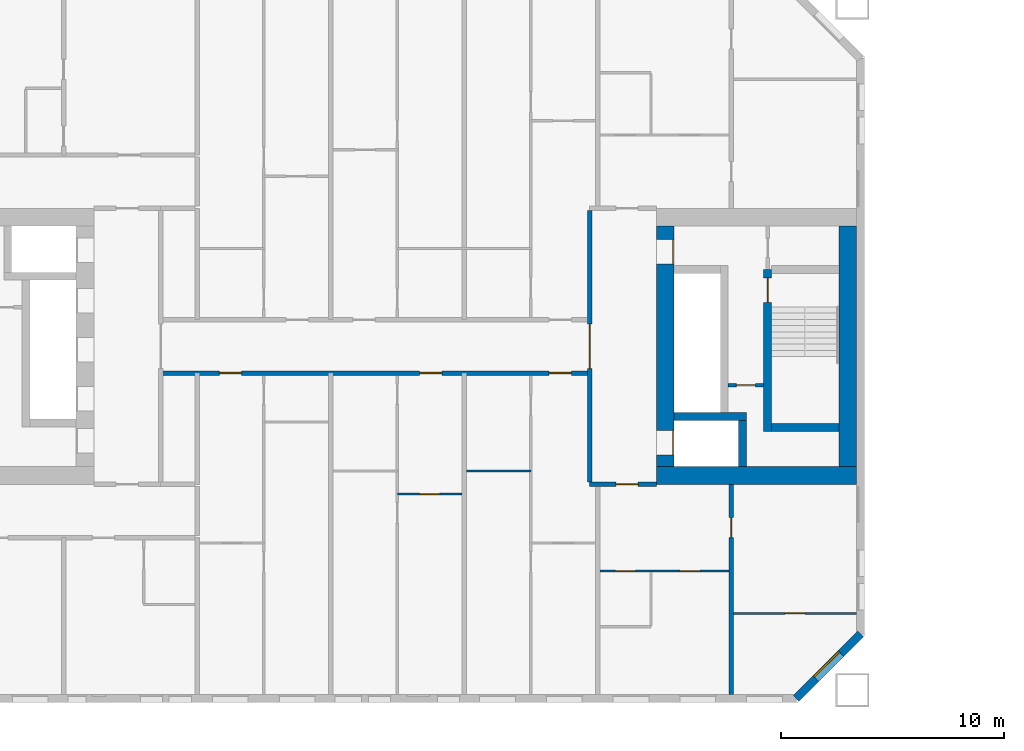
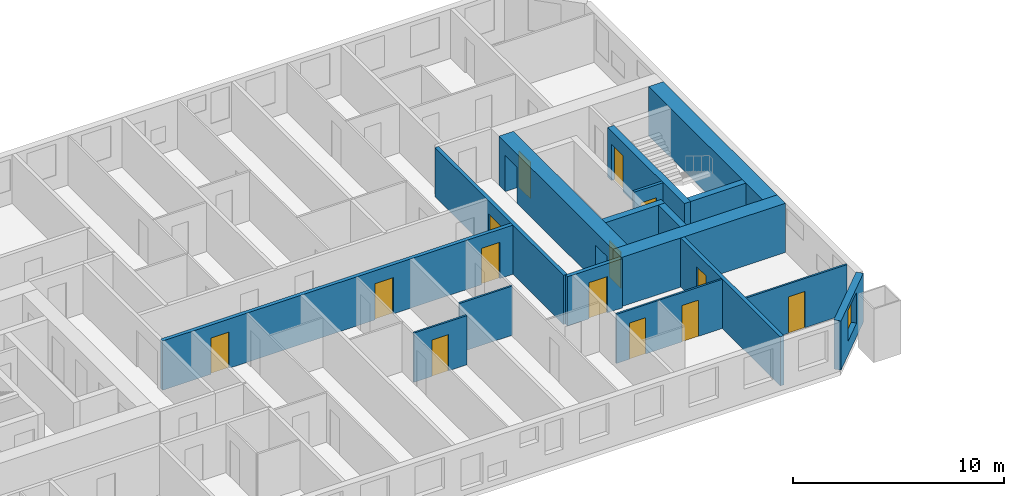
# One storey, part 8 of 19: 17 walls, 14 doors, 1 window, 15 openings.
"""IFC4 building model written with IfcOpenShell, lengths in metres."""

from ifc_helpers import new_model, si_unit, direction, frame, frame_2d, origin, place, context, subcontext, project, spatial, rectangle, extrude, material, layer, layer_set, type_object, element, fill, save


model = new_model("IFC4")

# Units and contexts
model_context = context("Model", 3, precision=1e-05, world=origin(), true_north=direction((0.0, 1.0)))
body_context = subcontext(model_context, "Body", "Model", "MODEL_VIEW")
ifc_project = project(units=[si_unit("LENGTHUNIT", "METRE"), si_unit("AREAUNIT", "SQUARE_METRE"), si_unit("VOLUMEUNIT", "CUBIC_METRE"), si_unit("PLANEANGLEUNIT", "RADIAN"), si_unit("MASSUNIT", "GRAM", prefix="KILO")], contexts=[model_context])

# Site, building, storey
site_placement = place(None, origin())
site = spatial("IfcSite", under=ifc_project, at=site_placement, CompositionType="ELEMENT")
building_placement = place(site_placement, origin())
building = spatial("IfcBuilding", under=site, at=building_placement, Name="Tuart Gate Housing", CompositionType="ELEMENT")
storey_placement = place(building_placement, frame((0.0, 0.0, 56.699951171875)))
storey = spatial("IfcBuildingStorey", under=building, at=storey_placement, Name="L15", CompositionType="ELEMENT", Elevation=56.699951171875)

# Wall, opening, window
ifc_material_1 = material(Name="Brick", Category="masonry")
ifc_layer_1 = layer(ifc_material_1, 0.360107421875)
ifc_layer_set_1 = layer_set([ifc_layer_1], Name="Brick pier and spandrel wall 360")
wall_type_1 = type_object("IfcWallType", Name="Brick pier and spandrel wall 360", PredefinedType="STANDARD", material=ifc_layer_set_1)
wall_1_placement = place(storey_placement, frame((72.92529296875, 54.179931640625, 0.0), z_axis=(0.0, 0.0, 1.0), x_axis=(0.707106781187, 0.707106781187, 0.0)))
wall_1 = element("IfcWall", 1, at=wall_1_placement, inside=storey, type_object=wall_type_1, Name="External wall A-SE L15", PredefinedType="STANDARD", context=body_context, shape_type="SweptSolid", body=[
    extrude(rectangle(XDim=4.09375, YDim=0.360107421875, at=frame_2d((2.046875, 0.0))), origin(), (0.0, 0.0, 1.0), 2.85009765625),
])
opening_1_placement = place(wall_1_placement, frame((1.2470703125, 0.0, 0.800048828125)))
opening_1 = element("IfcOpeningElement", 2, at=opening_1_placement, cuts=wall_1, Name="Opening W1", PredefinedType="OPENING", context=body_context, shape_type="SweptSolid", body=[
    extrude(rectangle(XDim=1.60009765625, YDim=1.800048828125, at=frame_2d((0.800048828125, 0.89990234375))), frame((0.0, 0.18994140625, 0.0), z_axis=(0.0, -1.0, 0.0), x_axis=(1.0, 0.0, 0.0)), (0.0, 0.0, 1.0), 0.380126953125),
])
ifc_material_2 = material(Name="Aluminium frame with clear glass", Category="aluminium")
window_type = type_object("IfcWindowType", Name="Punched window 1600 x 1800", PartitioningType="SINGLE_PANEL", PredefinedType="WINDOW", material=ifc_material_2)
window_placement = place(opening_1_placement, origin())
window = element("IfcWindow", 3, at=window_placement, inside=storey, type_object=window_type, Name="Window W1", OverallHeight=1.800048828125, OverallWidth=1.60009765625, PartitioningType="SINGLE_PANEL", PredefinedType="WINDOW", context=body_context, shape_type="SweptSolid", body=[
    extrude(rectangle(XDim=1.60009765625, YDim=1.800048828125, at=frame_2d((0.800048828125, 0.89990234375))), frame((0.0, 0.150146484375, 0.0), z_axis=(0.0, -1.0, 0.0), x_axis=(1.0, 0.0, 0.0)), (0.0, 0.0, 1.0), 0.06005859375),
])
fill(opening_1, window)

# Wall, opening, door
ifc_material_3 = material(Name="Plasterboard partition")
ifc_layer_2 = layer(ifc_material_3, 0.14990234375)
ifc_layer_set_2 = layer_set([ifc_layer_2], Name="Core partition 150")
wall_type_2 = type_object("IfcWallType", Name="Core partition 150", PredefinedType="PARTITIONING", material=ifc_layer_set_2)
wall_2_placement = place(storey_placement, frame((69.864990234375, 68.25, 0.0), z_axis=(0.0, 0.0, 1.0), x_axis=(1.0, 0.0, 0.0)))
wall_2 = element("IfcWall", 4, at=wall_2_placement, inside=storey, type_object=wall_type_2, Name="Core partition AG.3", PredefinedType="PARTITIONING", context=body_context, shape_type="SweptSolid", body=[
    extrude(rectangle(XDim=1.60009765625, YDim=0.14990234375, at=frame_2d((0.800048828125, 0.0))), origin(), (0.0, 0.0, 1.0), 2.85009765625),
])
opening_2_placement = place(wall_2_placement, frame((0.375, 0.0, 0.0)))
opening_2 = element("IfcOpeningElement", 5, at=opening_2_placement, cuts=wall_2, Name="Opening D752", PredefinedType="OPENING", context=body_context, shape_type="SweptSolid", body=[
    extrude(rectangle(XDim=0.85009765625, YDim=2.10009765625, at=frame_2d((0.425048828125, 1.050048828125))), frame((0.0, 0.0849609375, 0.0), z_axis=(0.0, -1.0, 0.0), x_axis=(1.0, 0.0, 0.0)), (0.0, 0.0, 1.0), 0.169921875),
])
ifc_material_4 = material(Name="Steel fire door", Category="steel")
door_type_1 = type_object("IfcDoorType", Name="Riser door 850 x 2100 RH", OperationType="SINGLE_SWING_RIGHT", PredefinedType="DOOR", material=ifc_material_4)
door_1_placement = place(opening_2_placement, frame((0.85009765625, 0.0, 0.0), z_axis=(0.0, 0.0, 1.0), x_axis=(-1.0, 0.0, 0.0)))
door_1 = element("IfcDoor", 6, at=door_1_placement, inside=storey, type_object=door_type_1, Name="Service room door AG.E1", OperationType="SINGLE_SWING_RIGHT", OverallHeight=2.10009765625, OverallWidth=0.85009765625, PredefinedType="DOOR", context=body_context, shape_type="SweptSolid", body=[
    extrude(rectangle(XDim=0.85009765625, YDim=2.10009765625, at=frame_2d((0.425048828125, 1.050048828125))), frame((0.0, 0.025146484375, 0.0), z_axis=(0.0, -1.0, 0.0), x_axis=(1.0, 0.0, 0.0)), (0.0, 0.0, 1.0), 0.050048828125),
])
fill(opening_2, door_1)

# Walls
ifc_material_5 = material(Name="Concrete C60", Category="concrete")
ifc_layer_3 = layer(ifc_material_5, 0.35009765625)
ifc_layer_set_3 = layer_set([ifc_layer_3], Name="Core wall 350 C60")
wall_type_3 = type_object("IfcWallType", Name="Core wall 350 C60", PredefinedType="SHEAR", material=ifc_layer_set_3)
wall_3_placement = place(storey_placement, frame((71.81494140625, 66.35009765625, 0.0), z_axis=(0.0, 0.0, 1.0), x_axis=(1.0, 0.0, 0.0)))
element("IfcWall", 7, at=wall_3_placement, inside=storey, type_object=wall_type_3, Name="Core wall AG.1", PredefinedType="SHEAR", context=body_context, shape_type="SweptSolid", body=[
    extrude(rectangle(XDim=3.025146484375, YDim=0.35009765625, at=frame_2d((1.5126953125, 0.0))), origin(), (0.0, 0.0, 1.0), 2.85009765625),
])
wall_4_placement = place(storey_placement, frame((67.43994140625, 66.85009765625, 0.0), z_axis=(0.0, 0.0, 1.0), x_axis=(1.0, 0.0, 0.0)))
element("IfcWall", 8, at=wall_4_placement, inside=storey, type_object=wall_type_3, Name="Core wall AG.2", PredefinedType="SHEAR", context=body_context, shape_type="SweptSolid", body=[
    extrude(rectangle(XDim=3.2451171875, YDim=0.35009765625, at=frame_2d((1.62255859375, 0.0))), origin(), (0.0, 0.0, 1.0), 2.85009765625),
])
wall_5_placement = place(storey_placement, frame((70.510009765625, 64.60009765625, 0.0), z_axis=(0.0, 0.0, 1.0), x_axis=(0.0, 1.0, 0.0)))
element("IfcWall", 9, at=wall_5_placement, inside=storey, type_object=wall_type_3, Name="Core wall AG.7", PredefinedType="SHEAR", context=body_context, shape_type="SweptSolid", body=[
    extrude(rectangle(XDim=2.074951171875, YDim=0.35009765625, at=frame_2d((1.03759765625, 0.0))), origin(), (0.0, 0.0, 1.0), 2.85009765625),
])

# Wall, opening, door
wall_6_placement = place(storey_placement, frame((71.639892578125, 66.175048828125, 0.0), z_axis=(0.0, 0.0, 1.0), x_axis=(0.0, 1.0, 0.0)))
wall_6 = element("IfcWall", 10, at=wall_6_placement, inside=storey, type_object=wall_type_3, Name="Core wall AG.8", PredefinedType="SHEAR", context=body_context, shape_type="SweptSolid", body=[
    extrude(rectangle(XDim=7.27490234375, YDim=0.35009765625, at=frame_2d((3.637451171875, 0.0))), origin(), (0.0, 0.0, 1.0), 2.85009765625),
])
opening_3_placement = place(wall_6_placement, frame((5.800048828125, 0.0, 0.0)))
opening_3 = element("IfcOpeningElement", 11, at=opening_3_placement, cuts=wall_6, Name="Opening D748", PredefinedType="OPENING", context=body_context, shape_type="SweptSolid", body=[
    extrude(rectangle(XDim=1.10009765625, YDim=2.10009765625, at=frame_2d((0.550048828125, 1.050048828125))), frame((0.0, 0.18505859375, 0.0), z_axis=(0.0, -1.0, 0.0), x_axis=(1.0, 0.0, 0.0)), (0.0, 0.0, 1.0), 0.3701171875),
])
ifc_material_6 = material(Name="Steel fire door", Category="steel")
door_type_2 = type_object("IfcDoorType", Name="Stair door 1100 x 2100", OperationType="SINGLE_SWING_LEFT", PredefinedType="DOOR", material=ifc_material_6)
door_2_placement = place(opening_3_placement, frame((1.10009765625, 0.0, 0.0), z_axis=(0.0, 0.0, 1.0), x_axis=(-1.0, 0.0, 0.0)))
door_2 = element("IfcDoor", 12, at=door_2_placement, inside=storey, type_object=door_type_2, Name="Stair door AG.SD", OperationType="SINGLE_SWING_LEFT", OverallHeight=2.10009765625, OverallWidth=1.10009765625, PredefinedType="DOOR", context=body_context, shape_type="SweptSolid", body=[
    extrude(rectangle(XDim=1.10009765625, YDim=2.10009765625, at=frame_2d((0.550048828125, 1.050048828125))), frame((0.0, 0.025146484375, 0.0), z_axis=(0.0, -1.0, 0.0), x_axis=(1.0, 0.0, 0.0)), (0.0, 0.0, 1.0), 0.050048828125),
])
fill(opening_3, door_2)

# Wall, openings, doors
ifc_material_7 = material(Name="Concrete C60", Category="concrete")
ifc_layer_4 = layer(ifc_material_7, 0.800048828125)
ifc_layer_set_4 = layer_set([ifc_layer_4], Name="Core wall 800 C60")
wall_type_4 = type_object("IfcWallType", Name="Core wall 800 C60", PredefinedType="SHEAR", material=ifc_layer_set_4)
wall_7_placement = place(storey_placement, frame((67.0400390625, 64.60009765625, 0.0), z_axis=(0.0, 0.0, 1.0), x_axis=(0.0, 1.0, 0.0)))
wall_7 = element("IfcWall", 13, at=wall_7_placement, inside=storey, type_object=wall_type_4, Name="Core wall AG front", PredefinedType="SHEAR", context=body_context, shape_type="SweptSolid", body=[
    extrude(rectangle(XDim=10.7998046875, YDim=0.800048828125, at=frame_2d((5.39990234375, 0.0))), origin(), (0.0, 0.0, 1.0), 2.85009765625),
])
opening_4_placement = place(wall_7_placement, frame((0.52490234375, 0.0, 0.0)))
opening_4 = element("IfcOpeningElement", 14, at=opening_4_placement, cuts=wall_7, Name="Opening LD-FA1", PredefinedType="OPENING", context=body_context, shape_type="SweptSolid", body=[
    extrude(rectangle(XDim=1.10009765625, YDim=2.10009765625, at=frame_2d((0.550048828125, 1.050048828125))), frame((0.0, 0.409912109375, 0.0), z_axis=(0.0, -1.0, 0.0), x_axis=(1.0, 0.0, 0.0)), (0.0, 0.0, 1.0), 0.820068359375),
])
opening_5_placement = place(wall_7_placement, frame((9.10009765625, 0.0, 0.0)))
opening_5 = element("IfcOpeningElement", 15, at=opening_5_placement, cuts=wall_7, Name="Opening D747", PredefinedType="OPENING", context=body_context, shape_type="SweptSolid", body=[
    extrude(rectangle(XDim=1.10009765625, YDim=2.10009765625, at=frame_2d((0.550048828125, 1.050048828125))), frame((0.0, 0.409912109375, 0.0), z_axis=(0.0, -1.0, 0.0), x_axis=(1.0, 0.0, 0.0)), (0.0, 0.0, 1.0), 0.820068359375),
])
ifc_material_8 = material(Name="Stainless steel", Category="steel")
door_type_3 = type_object("IfcDoorType", Name="Landing door 1100 x 2100", OperationType="DOUBLE_DOOR_SLIDING", PredefinedType="DOOR", material=ifc_material_8)
door_3_placement = place(opening_4_placement, origin())
door_3 = element("IfcDoor", 16, at=door_3_placement, inside=storey, type_object=door_type_3, Name="Lift landing door FA1", OperationType="DOUBLE_DOOR_SLIDING", OverallHeight=2.10009765625, OverallWidth=1.10009765625, PredefinedType="DOOR", context=body_context, shape_type="SweptSolid", body=[
    extrude(rectangle(XDim=1.10009765625, YDim=2.10009765625, at=frame_2d((0.550048828125, 1.050048828125))), frame((0.0, -0.3349609375, 0.0), z_axis=(0.0, -1.0, 0.0), x_axis=(1.0, 0.0, 0.0)), (0.0, 0.0, 1.0), 0.050048828125),
])
fill(opening_4, door_3)
ifc_material_9 = material(Name="Steel fire door", Category="steel")
door_type_4 = type_object("IfcDoorType", Name="Lobby door 1100 x 2100 RH", OperationType="SINGLE_SWING_RIGHT", PredefinedType="DOOR", material=ifc_material_9)
door_4_placement = place(opening_5_placement, frame((1.10009765625, 0.0, 0.0), z_axis=(0.0, 0.0, 1.0), x_axis=(-1.0, 0.0, 0.0)))
door_4 = element("IfcDoor", 17, at=door_4_placement, inside=storey, type_object=door_type_4, Name="Lobby entry door AG.EN", OperationType="SINGLE_SWING_RIGHT", OverallHeight=2.10009765625, OverallWidth=1.10009765625, PredefinedType="DOOR", context=body_context, shape_type="SweptSolid", body=[
    extrude(rectangle(XDim=1.10009765625, YDim=2.10009765625, at=frame_2d((0.550048828125, 1.050048828125))), frame((0.0, 0.385009765625, 0.0), z_axis=(0.0, -1.0, 0.0), x_axis=(1.0, 0.0, 0.0)), (0.0, 0.0, 1.0), 0.050048828125),
])
fill(opening_5, door_4)

# Walls
wall_8_placement = place(storey_placement, frame((75.239990234375, 64.60009765625, 0.0), z_axis=(0.0, 0.0, 1.0), x_axis=(0.0, 1.0, 0.0)))
element("IfcWall", 18, at=wall_8_placement, inside=storey, type_object=wall_type_4, Name="Core wall AG back", PredefinedType="SHEAR", context=body_context, shape_type="SweptSolid", body=[
    extrude(rectangle(XDim=10.7998046875, YDim=0.800048828125, at=frame_2d((5.39990234375, 0.0))), origin(), (0.0, 0.0, 1.0), 2.85009765625),
])
wall_9_placement = place(storey_placement, frame((66.639892578125, 64.199951171875, 0.0), z_axis=(0.0, 0.0, 1.0), x_axis=(1.0, 0.0, 0.0)))
element("IfcWall", 19, at=wall_9_placement, inside=storey, type_object=wall_type_4, Name="Core wall AG south", PredefinedType="SHEAR", context=body_context, shape_type="SweptSolid", body=[
    extrude(rectangle(XDim=9.0, YDim=0.800048828125, at=frame_2d((4.5, 0.0))), origin(), (0.0, 0.0, 1.0), 2.85009765625),
])

# Wall, openings, doors
ifc_material_10 = material(Name="Concrete masonry 15 MPa", Category="masonry")
ifc_layer_5 = layer(ifc_material_10, 0.199951171875)
ifc_layer_set_5 = layer_set([ifc_layer_5], Name="Corridor wall masonry 200")
wall_type_5 = type_object("IfcWallType", Name="Corridor wall masonry 200", PredefinedType="PARTITIONING", material=ifc_layer_set_5)
wall_10_placement = place(storey_placement, frame((44.360107421875, 68.800048828125, 0.0), z_axis=(0.0, 0.0, 1.0), x_axis=(1.0, 0.0, 0.0)))
wall_10 = element("IfcWall", 20, at=wall_10_placement, inside=storey, type_object=wall_type_5, Name="Corridor wall masonry 200", PredefinedType="PARTITIONING", context=body_context, shape_type="SweptSolid", body=[
    extrude(rectangle(XDim=19.27978515625, YDim=0.199951171875, at=frame_2d((9.639892578125, 0.0))), origin(), (0.0, 0.0, 1.0), 2.85009765625),
])
opening_6_placement = place(wall_10_placement, frame((17.4599609375, 0.0, 0.0)))
opening_6 = element("IfcOpeningElement", 21, at=opening_6_placement, cuts=wall_10, Name="Opening D749", PredefinedType="OPENING", context=body_context, shape_type="SweptSolid", body=[
    extrude(rectangle(XDim=1.0, YDim=2.10009765625, at=frame_2d((0.5, 1.050048828125))), frame((0.0, 0.10986328125, 0.0), z_axis=(0.0, -1.0, 0.0), x_axis=(1.0, 0.0, 0.0)), (0.0, 0.0, 1.0), 0.219970703125),
])
opening_7_placement = place(wall_10_placement, frame((11.639892578125, 0.0, 0.0)))
opening_7 = element("IfcOpeningElement", 22, at=opening_7_placement, cuts=wall_10, Name="Opening D750", PredefinedType="OPENING", context=body_context, shape_type="SweptSolid", body=[
    extrude(rectangle(XDim=1.0, YDim=2.10009765625, at=frame_2d((0.5, 1.050048828125))), frame((0.0, 0.10986328125, 0.0), z_axis=(0.0, -1.0, 0.0), x_axis=(1.0, 0.0, 0.0)), (0.0, 0.0, 1.0), 0.219970703125),
])
opening_8_placement = place(wall_10_placement, frame((2.639892578125, 0.0, 0.0)))
opening_8 = element("IfcOpeningElement", 23, at=opening_8_placement, cuts=wall_10, Name="Opening D751", PredefinedType="OPENING", context=body_context, shape_type="SweptSolid", body=[
    extrude(rectangle(XDim=1.0, YDim=2.10009765625, at=frame_2d((0.5, 1.050048828125))), frame((0.0, 0.10986328125, 0.0), z_axis=(0.0, -1.0, 0.0), x_axis=(1.0, 0.0, 0.0)), (0.0, 0.0, 1.0), 0.219970703125),
])
ifc_material_11 = material(Name="Timber door leaf in steel frame", Category="steel")
door_type_5 = type_object("IfcDoorType", Name="Flat entrance door 1000 RH", OperationType="SINGLE_SWING_RIGHT", PredefinedType="DOOR", material=ifc_material_11)
door_5_placement = place(opening_6_placement, frame((1.0, 0.0, 0.0), z_axis=(0.0, 0.0, 1.0), x_axis=(-1.0, 0.0, 0.0)))
door_5 = element("IfcDoor", 24, at=door_5_placement, inside=storey, type_object=door_type_5, Name="Flat entrance door", OperationType="SINGLE_SWING_RIGHT", OverallHeight=2.10009765625, OverallWidth=1.0, PredefinedType="DOOR", context=body_context, shape_type="SweptSolid", body=[
    extrude(rectangle(XDim=1.0, YDim=2.10009765625, at=frame_2d((0.5, 1.050048828125))), frame((0.0, 0.025146484375, 0.0), z_axis=(0.0, -1.0, 0.0), x_axis=(1.0, 0.0, 0.0)), (0.0, 0.0, 1.0), 0.050048828125),
])
fill(opening_6, door_5)
door_6_placement = place(opening_7_placement, frame((1.0, 0.0, 0.0), z_axis=(0.0, 0.0, 1.0), x_axis=(-1.0, 0.0, 0.0)))
door_6 = element("IfcDoor", 25, at=door_6_placement, inside=storey, type_object=door_type_5, Name="Flat entrance door", OperationType="SINGLE_SWING_RIGHT", OverallHeight=2.10009765625, OverallWidth=1.0, PredefinedType="DOOR", context=body_context, shape_type="SweptSolid", body=[
    extrude(rectangle(XDim=1.0, YDim=2.10009765625, at=frame_2d((0.5, 1.050048828125))), frame((0.0, 0.025146484375, 0.0), z_axis=(0.0, -1.0, 0.0), x_axis=(1.0, 0.0, 0.0)), (0.0, 0.0, 1.0), 0.050048828125),
])
fill(opening_7, door_6)
door_7_placement = place(opening_8_placement, frame((1.0, 0.0, 0.0), z_axis=(0.0, 0.0, 1.0), x_axis=(-1.0, 0.0, 0.0)))
door_7 = element("IfcDoor", 26, at=door_7_placement, inside=storey, type_object=door_type_5, Name="Flat entrance door", OperationType="SINGLE_SWING_RIGHT", OverallHeight=2.10009765625, OverallWidth=1.0, PredefinedType="DOOR", context=body_context, shape_type="SweptSolid", body=[
    extrude(rectangle(XDim=1.0, YDim=2.10009765625, at=frame_2d((0.5, 1.050048828125))), frame((0.0, 0.025146484375, 0.0), z_axis=(0.0, -1.0, 0.0), x_axis=(1.0, 0.0, 0.0)), (0.0, 0.0, 1.0), 0.050048828125),
])
fill(opening_8, door_7)

# Wall, opening, door
ifc_material_12 = material(Name="Concrete masonry 15 MPa", Category="masonry")
ifc_layer_6 = layer(ifc_material_12, 0.199951171875)
ifc_layer_set_6 = layer_set([ifc_layer_6], Name="Enclosure wall masonry 200")
wall_type_6 = type_object("IfcWallType", Name="Enclosure wall masonry 200", PredefinedType="PARTITIONING", material=ifc_layer_set_6)
wall_11_placement = place(storey_placement, frame((63.639892578125, 63.800048828125, 0.0), z_axis=(0.0, 0.0, 1.0), x_axis=(1.0, 0.0, 0.0)))
wall_11 = element("IfcWall", 27, at=wall_11_placement, inside=storey, type_object=wall_type_6, Name="Enclosure wall masonry 200", PredefinedType="PARTITIONING", context=body_context, shape_type="SweptSolid", body=[
    extrude(rectangle(XDim=3.0, YDim=0.199951171875, at=frame_2d((1.5, 0.0))), origin(), (0.0, 0.0, 1.0), 2.85009765625),
])
opening_9_placement = place(wall_11_placement, frame((1.179931640625, 0.0, 0.0)))
opening_9 = element("IfcOpeningElement", 28, at=opening_9_placement, cuts=wall_11, Name="Opening D756", PredefinedType="OPENING", context=body_context, shape_type="SweptSolid", body=[
    extrude(rectangle(XDim=1.0, YDim=2.10009765625, at=frame_2d((0.5, 1.050048828125))), frame((0.0, 0.10986328125, 0.0), z_axis=(0.0, -1.0, 0.0), x_axis=(1.0, 0.0, 0.0)), (0.0, 0.0, 1.0), 0.219970703125),
])
door_8_placement = place(opening_9_placement, frame((1.0, 0.0, 0.0), z_axis=(0.0, 0.0, 1.0), x_axis=(-1.0, 0.0, 0.0)))
door_8 = element("IfcDoor", 29, at=door_8_placement, inside=storey, type_object=door_type_5, Name="Flat entrance door", OperationType="SINGLE_SWING_RIGHT", OverallHeight=2.10009765625, OverallWidth=1.0, PredefinedType="DOOR", context=body_context, shape_type="SweptSolid", body=[
    extrude(rectangle(XDim=1.0, YDim=2.10009765625, at=frame_2d((0.5, 1.050048828125))), frame((0.0, 0.025146484375, 0.0), z_axis=(0.0, -1.0, 0.0), x_axis=(1.0, 0.0, 0.0)), (0.0, 0.0, 1.0), 0.050048828125),
])
fill(opening_9, door_8)

ifc_material_13 = material(Name="Plasterboard partition")
ifc_layer_7 = layer(ifc_material_13, 0.199951171875)
ifc_layer_set_7 = layer_set([ifc_layer_7], Name="Lobby wall 200")
wall_type_7 = type_object("IfcWallType", Name="Lobby wall 200", PredefinedType="PARTITIONING", material=ifc_layer_set_7)
wall_12_placement = place(storey_placement, frame((63.639892578125, 63.89990234375, 0.0), z_axis=(0.0, 0.0, 1.0), x_axis=(0.0, 1.0, 0.0)))
wall_12 = element("IfcWall", 30, at=wall_12_placement, inside=storey, type_object=wall_type_7, Name="Lift lobby wall AG", PredefinedType="PARTITIONING", context=body_context, shape_type="SweptSolid", body=[
    extrude(rectangle(XDim=12.2001953125, YDim=0.199951171875, at=frame_2d((6.10009765625, 0.0))), origin(), (0.0, 0.0, 1.0), 2.85009765625),
])
opening_10_placement = place(wall_12_placement, frame((5.10009765625, 0.0, 0.0)))
opening_10 = element("IfcOpeningElement", 31, at=opening_10_placement, cuts=wall_12, Name="Opening D746", PredefinedType="OPENING", context=body_context, shape_type="SweptSolid", body=[
    extrude(rectangle(XDim=2.0, YDim=2.10009765625, at=frame_2d((1.0, 1.050048828125))), frame((0.0, 0.10986328125, 0.0), z_axis=(0.0, -1.0, 0.0), x_axis=(1.0, 0.0, 0.0)), (0.0, 0.0, 1.0), 0.219970703125),
])
ifc_material_14 = material(Name="Steel fire door", Category="steel")
door_type_6 = type_object("IfcDoorType", Name="Smoke door 2000 x 2100", OperationType="DOUBLE_DOOR_SINGLE_SWING", PredefinedType="DOOR", material=ifc_material_14)
door_9_placement = place(opening_10_placement, frame((2.0, 0.0, 0.0), z_axis=(0.0, 0.0, 1.0), x_axis=(-1.0, 0.0, 0.0)))
door_9 = element("IfcDoor", 32, at=door_9_placement, inside=storey, type_object=door_type_6, Name="Lift lobby smoke door AG", OperationType="DOUBLE_DOOR_SINGLE_SWING", OverallHeight=2.10009765625, OverallWidth=2.0, PredefinedType="DOOR", context=body_context, shape_type="SweptSolid", body=[
    extrude(rectangle(XDim=2.0, YDim=2.10009765625, at=frame_2d((1.0, 1.050048828125))), frame((0.0, 0.025146484375, 0.0), z_axis=(0.0, -1.0, 0.0), x_axis=(1.0, 0.0, 0.0)), (0.0, 0.0, 1.0), 0.050048828125),
])
fill(opening_10, door_9)

ifc_material_15 = material(Name="Gypsum board on steel studs", Category="steel")
ifc_layer_8 = layer(ifc_material_15, 0.10009765625)
ifc_layer_set_8 = layer_set([ifc_layer_8], Name="Partition 100")
wall_type_8 = type_object("IfcWallType", Name="Partition 100", PredefinedType="PARTITIONING", material=ifc_layer_set_8)
wall_13_placement = place(storey_placement, frame((70.10009765625, 58.0, 0.0), z_axis=(0.0, 0.0, 1.0), x_axis=(1.0, 0.0, 0.0)))
wall_13 = element("IfcWall", 33, at=wall_13_placement, inside=storey, type_object=wall_type_8, Name="Partition 100", PredefinedType="PARTITIONING", context=body_context, shape_type="SweptSolid", body=[
    extrude(rectangle(XDim=5.539794921875, YDim=0.10009765625, at=frame_2d((2.77001953125, 0.0))), origin(), (0.0, 0.0, 1.0), 2.85009765625),
])
opening_11_placement = place(wall_13_placement, frame((2.320068359375, 0.0, 0.0)))
opening_11 = element("IfcOpeningElement", 34, at=opening_11_placement, cuts=wall_13, Name="Opening D773", PredefinedType="OPENING", context=body_context, shape_type="SweptSolid", body=[
    extrude(rectangle(XDim=0.89990234375, YDim=2.10009765625, at=frame_2d((0.449951171875, 1.050048828125))), frame((0.0, 0.06005859375, 0.0), z_axis=(0.0, -1.0, 0.0), x_axis=(1.0, 0.0, 0.0)), (0.0, 0.0, 1.0), 0.1201171875),
])
ifc_material_16 = material(Name="Timber door leaf in steel frame", Category="steel")
door_type_7 = type_object("IfcDoorType", Name="Internal door 900", OperationType="SINGLE_SWING_LEFT", PredefinedType="DOOR", material=ifc_material_16)
door_10_placement = place(opening_11_placement, frame((0.89990234375, 0.0, 0.0), z_axis=(0.0, 0.0, 1.0), x_axis=(-1.0, 0.0, 0.0)))
door_10 = element("IfcDoor", 35, at=door_10_placement, inside=storey, type_object=door_type_7, Name="Internal door", OperationType="SINGLE_SWING_LEFT", OverallHeight=2.10009765625, OverallWidth=0.89990234375, PredefinedType="DOOR", context=body_context, shape_type="SweptSolid", body=[
    extrude(rectangle(XDim=0.89990234375, YDim=2.10009765625, at=frame_2d((0.449951171875, 1.050048828125))), frame((0.0, 0.025146484375, 0.0), z_axis=(0.0, -1.0, 0.0), x_axis=(1.0, 0.0, 0.0)), (0.0, 0.0, 1.0), 0.050048828125),
])
fill(opening_11, door_10)

# Wall, openings, doors
wall_14_placement = place(storey_placement, frame((64.10009765625, 59.89990234375, 0.0), z_axis=(0.0, 0.0, 1.0), x_axis=(1.0, 0.0, 0.0)))
wall_14 = element("IfcWall", 36, at=wall_14_placement, inside=storey, type_object=wall_type_8, Name="Partition 100", PredefinedType="PARTITIONING", context=body_context, shape_type="SweptSolid", body=[
    extrude(rectangle(XDim=5.7998046875, YDim=0.10009765625, at=frame_2d((2.89990234375, 0.0))), origin(), (0.0, 0.0, 1.0), 2.85009765625),
])
opening_12_placement = place(wall_14_placement, frame((3.60009765625, 0.0, 0.0)))
opening_12 = element("IfcOpeningElement", 37, at=opening_12_placement, cuts=wall_14, Name="Opening D770", PredefinedType="OPENING", context=body_context, shape_type="SweptSolid", body=[
    extrude(rectangle(XDim=0.89990234375, YDim=2.10009765625, at=frame_2d((0.449951171875, 1.050048828125))), frame((0.0, 0.06005859375, 0.0), z_axis=(0.0, -1.0, 0.0), x_axis=(1.0, 0.0, 0.0)), (0.0, 0.0, 1.0), 0.1201171875),
])
opening_13_placement = place(wall_14_placement, frame((0.699951171875, 0.0, 0.0)))
opening_13 = element("IfcOpeningElement", 38, at=opening_13_placement, cuts=wall_14, Name="Opening D769", PredefinedType="OPENING", context=body_context, shape_type="SweptSolid", body=[
    extrude(rectangle(XDim=0.89990234375, YDim=2.10009765625, at=frame_2d((0.449951171875, 1.050048828125))), frame((0.0, 0.06005859375, 0.0), z_axis=(0.0, -1.0, 0.0), x_axis=(1.0, 0.0, 0.0)), (0.0, 0.0, 1.0), 0.1201171875),
])
ifc_material_17 = material(Name="Timber door leaf in steel frame", Category="steel")
door_type_8 = type_object("IfcDoorType", Name="Bathroom door 900", OperationType="SINGLE_SWING_LEFT", PredefinedType="DOOR", material=ifc_material_17)
door_11_placement = place(opening_13_placement, frame((0.89990234375, 0.0, 0.0), z_axis=(0.0, 0.0, 1.0), x_axis=(-1.0, 0.0, 0.0)))
door_11 = element("IfcDoor", 39, at=door_11_placement, inside=storey, type_object=door_type_8, Name="Bathroom door", OperationType="SINGLE_SWING_LEFT", OverallHeight=2.10009765625, OverallWidth=0.89990234375, PredefinedType="DOOR", context=body_context, shape_type="SweptSolid", body=[
    extrude(rectangle(XDim=0.89990234375, YDim=2.10009765625, at=frame_2d((0.449951171875, 1.050048828125))), frame((0.0, 0.025146484375, 0.0), z_axis=(0.0, -1.0, 0.0), x_axis=(1.0, 0.0, 0.0)), (0.0, 0.0, 1.0), 0.050048828125),
])
fill(opening_13, door_11)
ifc_material_18 = material(Name="Timber door leaf in steel frame", Category="steel")
door_type_9 = type_object("IfcDoorType", Name="Internal door 900 RH", OperationType="SINGLE_SWING_RIGHT", PredefinedType="DOOR", material=ifc_material_18)
door_12_placement = place(opening_12_placement, frame((0.89990234375, 0.0, 0.0), z_axis=(0.0, 0.0, 1.0), x_axis=(-1.0, 0.0, 0.0)))
door_12 = element("IfcDoor", 40, at=door_12_placement, inside=storey, type_object=door_type_9, Name="Internal door", OperationType="SINGLE_SWING_RIGHT", OverallHeight=2.10009765625, OverallWidth=0.89990234375, PredefinedType="DOOR", context=body_context, shape_type="SweptSolid", body=[
    extrude(rectangle(XDim=0.89990234375, YDim=2.10009765625, at=frame_2d((0.449951171875, 1.050048828125))), frame((0.0, 0.025146484375, 0.0), z_axis=(0.0, -1.0, 0.0), x_axis=(1.0, 0.0, 0.0)), (0.0, 0.0, 1.0), 0.050048828125),
])
fill(opening_12, door_12)

# Wall, opening, door
wall_15_placement = place(storey_placement, frame((55.0, 63.360107421875, 0.0), z_axis=(0.0, 0.0, 1.0), x_axis=(1.0, 0.0, 0.0)))
wall_15 = element("IfcWall", 41, at=wall_15_placement, inside=storey, type_object=wall_type_8, Name="Partition 100", PredefinedType="PARTITIONING", context=body_context, shape_type="SweptSolid", body=[
    extrude(rectangle(XDim=2.89990234375, YDim=0.10009765625, at=frame_2d((1.449951171875, 0.0))), origin(), (0.0, 0.0, 1.0), 2.85009765625),
])
opening_14_placement = place(wall_15_placement, frame((1.0, 0.0, 0.0)))
opening_14 = element("IfcOpeningElement", 42, at=opening_14_placement, cuts=wall_15, Name="Opening D757", PredefinedType="OPENING", context=body_context, shape_type="SweptSolid", body=[
    extrude(rectangle(XDim=0.89990234375, YDim=2.10009765625, at=frame_2d((0.449951171875, 1.050048828125))), frame((0.0, 0.06005859375, 0.0), z_axis=(0.0, -1.0, 0.0), x_axis=(1.0, 0.0, 0.0)), (0.0, 0.0, 1.0), 0.1201171875),
])
door_13_placement = place(opening_14_placement, origin())
door_13 = element("IfcDoor", 43, at=door_13_placement, inside=storey, type_object=door_type_7, Name="Internal door", OperationType="SINGLE_SWING_LEFT", OverallHeight=2.10009765625, OverallWidth=0.89990234375, PredefinedType="DOOR", context=body_context, shape_type="SweptSolid", body=[
    extrude(rectangle(XDim=0.89990234375, YDim=2.10009765625, at=frame_2d((0.449951171875, 1.050048828125))), frame((0.0, 0.02490234375, 0.0), z_axis=(0.0, -1.0, 0.0), x_axis=(1.0, 0.0, 0.0)), (0.0, 0.0, 1.0), 0.050048828125),
])
fill(opening_14, door_13)

# Wall
wall_16_placement = place(storey_placement, frame((58.10009765625, 64.39990234375, 0.0), z_axis=(0.0, 0.0, 1.0), x_axis=(1.0, 0.0, 0.0)))
element("IfcWall", 44, at=wall_16_placement, inside=storey, type_object=wall_type_8, Name="Partition 100", PredefinedType="PARTITIONING", context=body_context, shape_type="SweptSolid", body=[
    extrude(rectangle(XDim=2.89990234375, YDim=0.10009765625, at=frame_2d((1.449951171875, 0.0))), origin(), (0.0, 0.0, 1.0), 2.85009765625),
])

# Wall, opening, door
ifc_material_19 = material(Name="Concrete C40", Category="concrete")
ifc_layer_9 = layer(ifc_material_19, 0.199951171875)
ifc_layer_set_9 = layer_set([ifc_layer_9], Name="Party wall concrete C40 200")
wall_type_9 = type_object("IfcWallType", Name="Party wall concrete C40 200", PredefinedType="SOLIDWALL", material=ifc_layer_set_9)
wall_17_placement = place(storey_placement, frame((70.0, 54.360107421875, 0.0), z_axis=(0.0, 0.0, 1.0), x_axis=(0.0, 1.0, 0.0)))
wall_17 = element("IfcWall", 45, at=wall_17_placement, inside=storey, type_object=wall_type_9, Name="Party wall concrete C40 200", PredefinedType="SOLIDWALL", context=body_context, shape_type="SweptSolid", body=[
    extrude(rectangle(XDim=9.43994140625, YDim=0.199951171875, at=frame_2d((4.719970703125, 0.0))), origin(), (0.0, 0.0, 1.0), 2.85009765625),
])
opening_15_placement = place(wall_17_placement, frame((7.0400390625, 0.0, 0.0)))
opening_15 = element("IfcOpeningElement", 46, at=opening_15_placement, cuts=wall_17, Name="Opening D772", PredefinedType="OPENING", context=body_context, shape_type="SweptSolid", body=[
    extrude(rectangle(XDim=0.89990234375, YDim=2.10009765625, at=frame_2d((0.449951171875, 1.050048828125))), frame((0.0, 0.10986328125, 0.0), z_axis=(0.0, -1.0, 0.0), x_axis=(1.0, 0.0, 0.0)), (0.0, 0.0, 1.0), 0.219970703125),
])
door_14_placement = place(opening_15_placement, origin())
door_14 = element("IfcDoor", 47, at=door_14_placement, inside=storey, type_object=door_type_7, Name="Internal door", OperationType="SINGLE_SWING_LEFT", OverallHeight=2.10009765625, OverallWidth=0.89990234375, PredefinedType="DOOR", context=body_context, shape_type="SweptSolid", body=[
    extrude(rectangle(XDim=0.89990234375, YDim=2.10009765625, at=frame_2d((0.449951171875, 1.050048828125))), frame((0.0, 0.02490234375, 0.0), z_axis=(0.0, -1.0, 0.0), x_axis=(1.0, 0.0, 0.0)), (0.0, 0.0, 1.0), 0.050048828125),
])
fill(opening_15, door_14)

save(model, "model.ifc")
